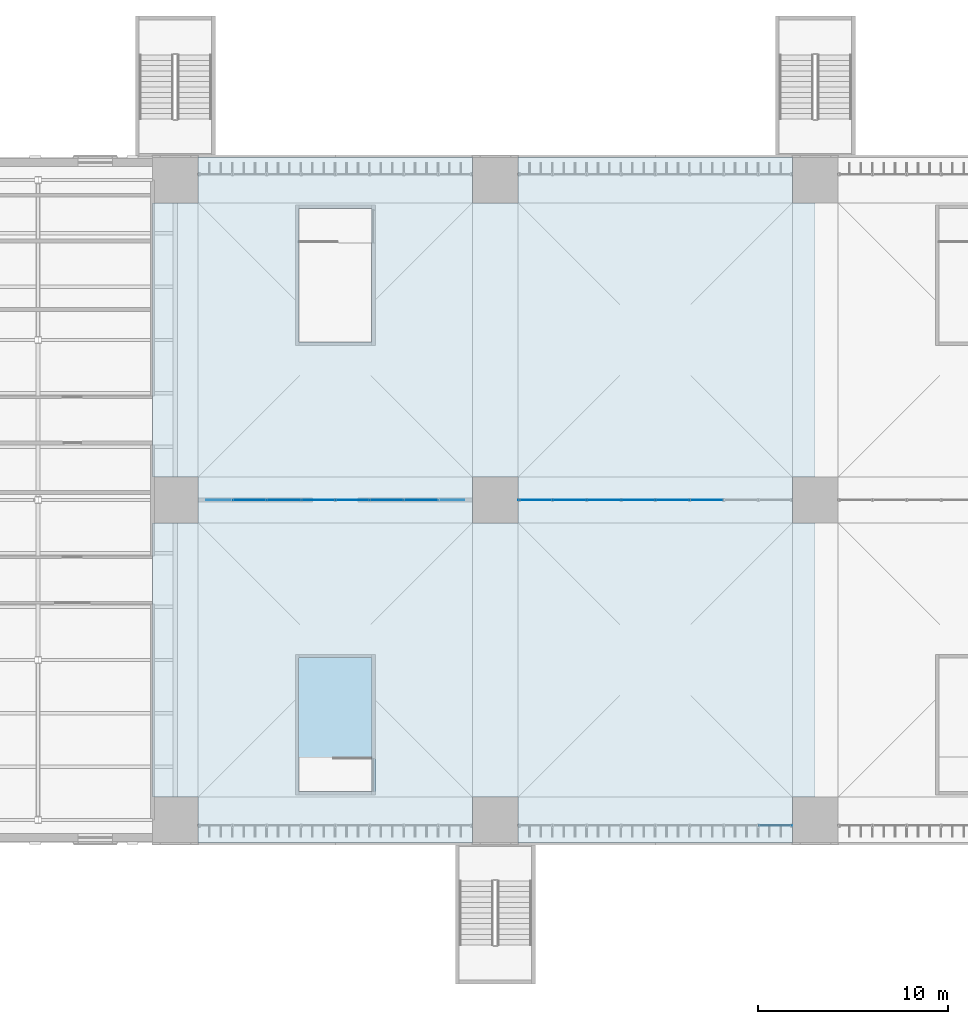
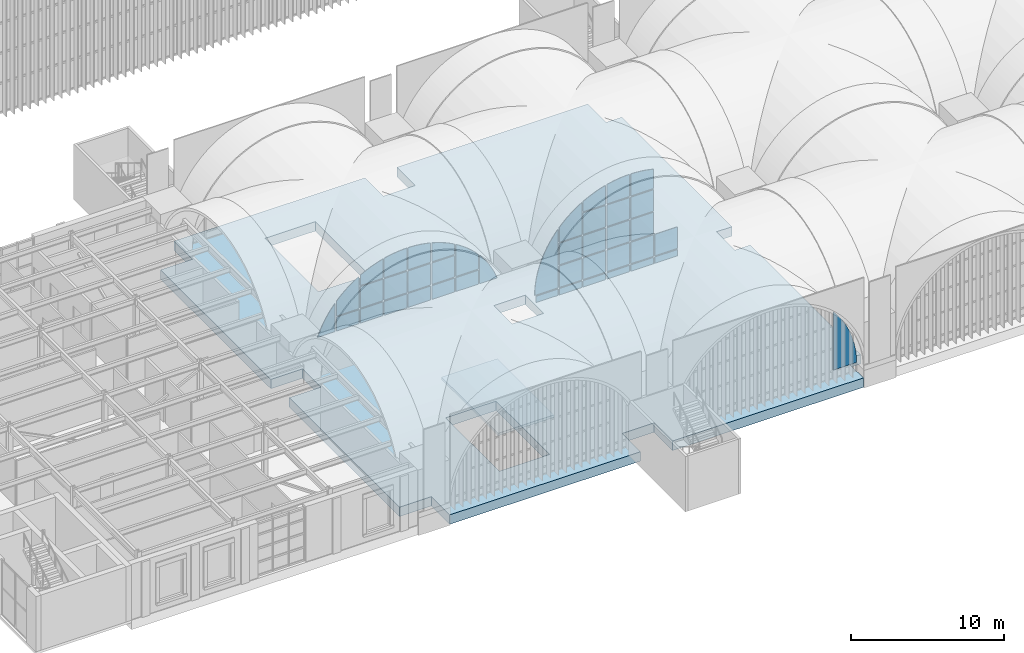
# One storey, part 77 of 169: 42 plates, 2 slabs, 3 elements without a shape of their own.
"""IFC4 building model written with IfcOpenShell, lengths in metres."""

from ifc_helpers import new_model, si_unit, direction, frame, origin, place, context, subcontext, project, spatial, polyline, outline, extrude, material, layer, layer_set, type_object, element, aggregate, save


model = new_model("IFC4")

# Units and contexts
model_context = context("Model", 3, precision=1e-05, world=origin(), true_north=direction((0.0, 1.0)))
body_context = subcontext(model_context, "Body", "Model", "MODEL_VIEW")
ifc_project = project(units=[si_unit("LENGTHUNIT", "METRE"), si_unit("AREAUNIT", "SQUARE_METRE"), si_unit("VOLUMEUNIT", "CUBIC_METRE"), si_unit("PLANEANGLEUNIT", "RADIAN"), si_unit("MASSUNIT", "GRAM", prefix="KILO")], contexts=[model_context])

# Site, building, storey
site_placement = place(None, origin())
site = spatial("IfcSite", under=ifc_project, at=site_placement, CompositionType="ELEMENT")
building_placement = place(site_placement, origin())
building = spatial("IfcBuilding", under=site, at=building_placement, Name="Verrick Yard Athletic Hall", CompositionType="ELEMENT")
storey_placement = place(building_placement, frame((0.0, 0.0, 4.39990234375)))
storey = spatial("IfcBuildingStorey", under=building, at=storey_placement, Name="L01", CompositionType="ELEMENT", Elevation=4.39990234375)

# Slab
ifc_material_1 = material(Name="Concrete 35 MPa", Category="concrete")
ifc_layer_1 = layer(ifc_material_1, 0.199951171875)
ifc_layer_set_1 = layer_set([ifc_layer_1], Name="Core roof slab 200")
slab_type_1 = type_object("IfcSlabType", Name="Core roof slab 200", PredefinedType="ROOF", material=ifc_layer_set_1)
slab_1_placement = place(storey_placement, frame((0.0, 0.0, 3.0)))
element("IfcSlab", 1, at=slab_1_placement, inside=storey, type_object=slab_type_1, Name="CORE-PS-S1-COVER", PredefinedType="ROOF", context=body_context, shape_type="SweptSolid", body=[
    extrude(outline(polyline([(46.300048828125, 20.5), (50.5, 20.5), (50.5, 27.89990234375), (46.300048828125, 27.89990234375), (46.300048828125, 20.5)])), origin(), (0.0, 0.0, 1.0), 0.2001953125),
])

# Curtain wall, plate
ifc_material_2 = material(Name="Aluminium and glass curtain wall", Category="aluminium")
ifc_layer_2 = layer(ifc_material_2, 0.14990234375)
ifc_layer_set_2 = layer_set([ifc_layer_2], Name="Arcade glazing arch")
curtain_wall_type_1 = type_object("IfcCurtainWallType", Name="Arcade glazing arch", PredefinedType="NOTDEFINED", material=ifc_layer_set_2)
curtain_wall_1_placement = place(storey_placement, origin())
curtain_wall_1 = element("IfcCurtainWall", 2, at=curtain_wall_1_placement, inside=storey, type_object=curtain_wall_type_1, Name="Arcade glazing S2", PredefinedType="NOTDEFINED")
ifc_material_3 = material(Name="Laminated glass 28 mm", Category="glass")
ifc_layer_3 = layer(ifc_material_3, 0.028076171875)
ifc_layer_set_3 = layer_set([ifc_layer_3], Name="Curtain wall glass panel")
plate_type = type_object("IfcPlateType", Name="Curtain wall glass panel", PredefinedType="CURTAIN_PANEL", material=ifc_layer_set_3)
plate_1_placement = place(storey_placement, frame((58.0, 18.89990234375, 0.700927734375), z_axis=(0.0, 0.0, 1.0), x_axis=(1.0, 0.0, 0.0)))
plate_1 = element("IfcPlate", 3, at=plate_1_placement, type_object=plate_type, Name="Arcade glazing S2 panel 32", PredefinedType="CURTAIN_PANEL", context=body_context, shape_type="SweptSolid", body=[
    extrude(outline(polyline([(14.39892578125, 0.0), (14.39306640625, 0.26318359375), (14.37255859375, 0.57666015625), (14.33837890625, 0.888916015625), (14.29052734375, 1.199462890625), (14.229248046875, 1.507568359375), (14.15478515625, 1.812744140625), (14.06689453125, 2.1142578125), (13.9658203125, 2.41162109375), (13.851806640625, 2.70458984375), (13.725341796875, 2.9921875), (13.58642578125, 3.273681640625), (13.435302734375, 3.549072265625), (13.2724609375, 3.81787109375), (13.097900390625, 4.078857421875), (12.912109375, 4.332275390625), (12.715576171875, 4.5771484375), (12.65087890625, 4.651123046875), (12.65087890625, 0.0), (14.39892578125, 0.0)])), frame((0.0, 0.01416015625, 0.0), z_axis=(0.0, -1.0, 0.0), x_axis=(1.0, 0.0, 0.0)), (0.0, 0.0, 1.0), 0.028076171875),
])
aggregate(curtain_wall_1, [plate_1])

# Curtain wall, plates
ifc_layer_4 = layer(ifc_material_2, 0.14990234375)
ifc_layer_set_4 = layer_set([ifc_layer_4], Name="Concourse door screen arch")
curtain_wall_type_2 = type_object("IfcCurtainWallType", Name="Concourse door screen arch", PredefinedType="NOTDEFINED", material=ifc_layer_set_4)
curtain_wall_2_placement = place(storey_placement, origin())
curtain_wall_2 = element("IfcCurtainWall", 4, at=curtain_wall_2_placement, inside=storey, type_object=curtain_wall_type_2, Name="Concourse screen 1", PredefinedType="NOTDEFINED")
plate_2_placement = place(storey_placement, frame((41.199951171875, 36.0, 3.101806640625), z_axis=(0.0, 0.0, 1.0), x_axis=(1.0, 0.0, 0.0)))
plate_2 = element("IfcPlate", 5, at=plate_2_placement, type_object=plate_type, Name="Concourse screen 1 panel 1", PredefinedType="CURTAIN_PANEL", context=body_context, shape_type="SweptSolid", body=[
    extrude(outline(polyline([(1.749267578125, 2.250244140625), (1.6845703125, 2.17626953125), (1.48779296875, 1.931396484375), (1.302001953125, 1.677978515625), (1.127685546875, 1.4169921875), (0.964599609375, 1.148193359375), (0.8134765625, 0.872802734375), (0.674560546875, 0.59130859375), (0.548095703125, 0.3037109375), (0.43408203125, 0.0107421875), (0.430419921875, 0.0), (1.749267578125, 0.0), (1.749267578125, 2.250244140625)])), frame((0.0, 0.01416015625, 0.0), z_axis=(0.0, -1.0, 0.0), x_axis=(1.0, 0.0, 0.0)), (0.0, 0.0, 1.0), 0.028076171875),
])
plate_3_placement = place(storey_placement, frame((41.199951171875, 36.0, 3.101806640625), z_axis=(0.0, 0.0, 1.0), x_axis=(1.0, 0.0, 0.0)))
plate_3 = element("IfcPlate", 6, at=plate_3_placement, type_object=plate_type, Name="Concourse screen 1 panel 2", PredefinedType="CURTAIN_PANEL", context=body_context, shape_type="SweptSolid", body=[
    extrude(outline(polyline([(3.54931640625, 0.0), (3.54931640625, 1.097412109375), (1.850830078125, 1.097412109375), (1.850830078125, 0.0), (3.54931640625, 0.0)])), frame((0.0, 0.01416015625, 0.0), z_axis=(0.0, -1.0, 0.0), x_axis=(1.0, 0.0, 0.0)), (0.0, 0.0, 1.0), 0.028076171875),
])
plate_4_placement = place(storey_placement, frame((41.199951171875, 36.0, 4.30078125), z_axis=(0.0, 0.0, 1.0), x_axis=(1.0, 0.0, 0.0)))
plate_4 = element("IfcPlate", 7, at=plate_4_placement, type_object=plate_type, Name="Concourse screen 1 panel 3", PredefinedType="CURTAIN_PANEL", context=body_context, shape_type="SweptSolid", body=[
    extrude(outline(polyline([(3.54931640625, 2.553955078125), (3.331298828125, 2.421630859375), (3.0703125, 2.247314453125), (2.81689453125, 2.0615234375), (2.572021484375, 1.86474609375), (2.335693359375, 1.65771484375), (2.10888671875, 1.4404296875), (1.8916015625, 1.213623046875), (1.850830078125, 1.1669921875), (1.850830078125, 0.0), (3.54931640625, 0.0), (3.54931640625, 2.553955078125)])), frame((0.0, 0.01416015625, 0.0), z_axis=(0.0, -1.0, 0.0), x_axis=(1.0, 0.0, 0.0)), (0.0, 0.0, 1.0), 0.028076171875),
])
plate_5_placement = place(storey_placement, frame((41.199951171875, 36.0, 3.101806640625), z_axis=(0.0, 0.0, 1.0), x_axis=(1.0, 0.0, 0.0)))
plate_5 = element("IfcPlate", 8, at=plate_5_placement, type_object=plate_type, Name="Concourse screen 1 panel 4", PredefinedType="CURTAIN_PANEL", context=body_context, shape_type="SweptSolid", body=[
    extrude(outline(polyline([(5.34912109375, 0.0), (5.34912109375, 1.097412109375), (3.65087890625, 1.097412109375), (3.65087890625, 0.0), (5.34912109375, 0.0)])), frame((0.0, 0.01416015625, 0.0), z_axis=(0.0, -1.0, 0.0), x_axis=(1.0, 0.0, 0.0)), (0.0, 0.0, 1.0), 0.028076171875),
])
plate_6_placement = place(storey_placement, frame((41.199951171875, 36.0, 4.30078125), z_axis=(0.0, 0.0, 1.0), x_axis=(1.0, 0.0, 0.0)))
plate_6 = element("IfcPlate", 9, at=plate_6_placement, type_object=plate_type, Name="Concourse screen 1 panel 5", PredefinedType="CURTAIN_PANEL", context=body_context, shape_type="SweptSolid", body=[
    extrude(outline(polyline([(5.34912109375, 0.0), (5.34912109375, 1.698486328125), (3.65087890625, 1.698486328125), (3.65087890625, 0.0), (5.34912109375, 0.0)])), frame((0.0, 0.01416015625, 0.0), z_axis=(0.0, -1.0, 0.0), x_axis=(1.0, 0.0, 0.0)), (0.0, 0.0, 1.0), 0.028076171875),
])
plate_7_placement = place(storey_placement, frame((41.199951171875, 36.0, 6.100830078125), z_axis=(0.0, 0.0, 1.0), x_axis=(1.0, 0.0, 0.0)))
plate_7 = element("IfcPlate", 10, at=plate_7_placement, type_object=plate_type, Name="Concourse screen 1 panel 6", PredefinedType="CURTAIN_PANEL", context=body_context, shape_type="SweptSolid", body=[
    extrude(outline(polyline([(5.34912109375, 1.507080078125), (5.33642578125, 1.50390625), (5.034912109375, 1.416015625), (4.737548828125, 1.315185546875), (4.444580078125, 1.201171875), (4.156982421875, 1.07470703125), (3.87548828125, 0.935791015625), (3.65087890625, 0.8125), (3.65087890625, 0.0), (5.34912109375, 0.0), (5.34912109375, 1.507080078125)])), frame((0.0, 0.01416015625, 0.0), z_axis=(0.0, -1.0, 0.0), x_axis=(1.0, 0.0, 0.0)), (0.0, 0.0, 1.0), 0.028076171875),
])
plate_8_placement = place(storey_placement, frame((41.199951171875, 36.0, 3.101806640625), z_axis=(0.0, 0.0, 1.0), x_axis=(1.0, 0.0, 0.0)))
plate_8 = element("IfcPlate", 11, at=plate_8_placement, type_object=plate_type, Name="Concourse screen 1 panel 7", PredefinedType="CURTAIN_PANEL", context=body_context, shape_type="SweptSolid", body=[
    extrude(outline(polyline([(7.149169921875, 0.0), (7.149169921875, 1.097412109375), (5.45068359375, 1.097412109375), (5.45068359375, 0.0), (7.149169921875, 0.0)])), frame((0.0, 0.01416015625, 0.0), z_axis=(0.0, -1.0, 0.0), x_axis=(1.0, 0.0, 0.0)), (0.0, 0.0, 1.0), 0.028076171875),
])
plate_9_placement = place(storey_placement, frame((41.199951171875, 36.0, 4.30078125), z_axis=(0.0, 0.0, 1.0), x_axis=(1.0, 0.0, 0.0)))
plate_9 = element("IfcPlate", 12, at=plate_9_placement, type_object=plate_type, Name="Concourse screen 1 panel 8", PredefinedType="CURTAIN_PANEL", context=body_context, shape_type="SweptSolid", body=[
    extrude(outline(polyline([(7.149169921875, 0.0), (7.149169921875, 1.698486328125), (5.45068359375, 1.698486328125), (5.45068359375, 0.0), (7.149169921875, 0.0)])), frame((0.0, 0.01416015625, 0.0), z_axis=(0.0, -1.0, 0.0), x_axis=(1.0, 0.0, 0.0)), (0.0, 0.0, 1.0), 0.028076171875),
])
plate_10_placement = place(storey_placement, frame((41.199951171875, 36.0, 6.100830078125), z_axis=(0.0, 0.0, 1.0), x_axis=(1.0, 0.0, 0.0)))
plate_10 = element("IfcPlate", 13, at=plate_10_placement, type_object=plate_type, Name="Concourse screen 1 panel 9", PredefinedType="CURTAIN_PANEL", context=body_context, shape_type="SweptSolid", body=[
    extrude(outline(polyline([(7.149169921875, 1.748046875), (6.885986328125, 1.742431640625), (6.572509765625, 1.721923828125), (6.26025390625, 1.687744140625), (5.94970703125, 1.639892578125), (5.6416015625, 1.57861328125), (5.45068359375, 1.531982421875), (5.45068359375, 0.0), (7.149169921875, 0.0), (7.149169921875, 1.748046875)])), frame((0.0, 0.01416015625, 0.0), z_axis=(0.0, -1.0, 0.0), x_axis=(1.0, 0.0, 0.0)), (0.0, 0.0, 1.0), 0.028076171875),
])
plate_11_placement = place(storey_placement, frame((41.199951171875, 36.0, 3.101806640625), z_axis=(0.0, 0.0, 1.0), x_axis=(1.0, 0.0, 0.0)))
plate_11 = element("IfcPlate", 14, at=plate_11_placement, type_object=plate_type, Name="Concourse screen 1 panel 10", PredefinedType="CURTAIN_PANEL", context=body_context, shape_type="SweptSolid", body=[
    extrude(outline(polyline([(8.94921875, 0.0), (8.94921875, 1.097412109375), (7.250732421875, 1.097412109375), (7.250732421875, 0.0), (8.94921875, 0.0)])), frame((0.0, 0.01416015625, 0.0), z_axis=(0.0, -1.0, 0.0), x_axis=(1.0, 0.0, 0.0)), (0.0, 0.0, 1.0), 0.028076171875),
])
plate_12_placement = place(storey_placement, frame((41.199951171875, 36.0, 4.30078125), z_axis=(0.0, 0.0, 1.0), x_axis=(1.0, 0.0, 0.0)))
plate_12 = element("IfcPlate", 15, at=plate_12_placement, type_object=plate_type, Name="Concourse screen 1 panel 11", PredefinedType="CURTAIN_PANEL", context=body_context, shape_type="SweptSolid", body=[
    extrude(outline(polyline([(8.94921875, 0.0), (8.94921875, 1.698486328125), (7.250732421875, 1.698486328125), (7.250732421875, 0.0), (8.94921875, 0.0)])), frame((0.0, 0.01416015625, 0.0), z_axis=(0.0, -1.0, 0.0), x_axis=(1.0, 0.0, 0.0)), (0.0, 0.0, 1.0), 0.028076171875),
])
plate_13_placement = place(storey_placement, frame((41.199951171875, 36.0, 6.100830078125), z_axis=(0.0, 0.0, 1.0), x_axis=(1.0, 0.0, 0.0)))
plate_13 = element("IfcPlate", 16, at=plate_13_placement, type_object=plate_type, Name="Concourse screen 1 panel 12", PredefinedType="CURTAIN_PANEL", context=body_context, shape_type="SweptSolid", body=[
    extrude(outline(polyline([(8.94921875, 1.531982421875), (8.75830078125, 1.57861328125), (8.4501953125, 1.639892578125), (8.139892578125, 1.687744140625), (7.827392578125, 1.721923828125), (7.51416015625, 1.742431640625), (7.250732421875, 1.748046875), (7.250732421875, 0.0), (8.94921875, 0.0), (8.94921875, 1.531982421875)])), frame((0.0, 0.01416015625, 0.0), z_axis=(0.0, -1.0, 0.0), x_axis=(1.0, 0.0, 0.0)), (0.0, 0.0, 1.0), 0.028076171875),
])
plate_14_placement = place(storey_placement, frame((41.199951171875, 36.0, 3.101806640625), z_axis=(0.0, 0.0, 1.0), x_axis=(1.0, 0.0, 0.0)))
plate_14 = element("IfcPlate", 17, at=plate_14_placement, type_object=plate_type, Name="Concourse screen 1 panel 13", PredefinedType="CURTAIN_PANEL", context=body_context, shape_type="SweptSolid", body=[
    extrude(outline(polyline([(10.749267578125, 0.0), (10.749267578125, 1.097412109375), (9.05078125, 1.097412109375), (9.05078125, 0.0), (10.749267578125, 0.0)])), frame((0.0, 0.01416015625, 0.0), z_axis=(0.0, -1.0, 0.0), x_axis=(1.0, 0.0, 0.0)), (0.0, 0.0, 1.0), 0.028076171875),
])
plate_15_placement = place(storey_placement, frame((41.199951171875, 36.0, 4.30078125), z_axis=(0.0, 0.0, 1.0), x_axis=(1.0, 0.0, 0.0)))
plate_15 = element("IfcPlate", 18, at=plate_15_placement, type_object=plate_type, Name="Concourse screen 1 panel 14", PredefinedType="CURTAIN_PANEL", context=body_context, shape_type="SweptSolid", body=[
    extrude(outline(polyline([(10.749267578125, 0.0), (10.749267578125, 1.698486328125), (9.05078125, 1.698486328125), (9.05078125, 0.0), (10.749267578125, 0.0)])), frame((0.0, 0.01416015625, 0.0), z_axis=(0.0, -1.0, 0.0), x_axis=(1.0, 0.0, 0.0)), (0.0, 0.0, 1.0), 0.028076171875),
])
plate_16_placement = place(storey_placement, frame((41.199951171875, 36.0, 6.100830078125), z_axis=(0.0, 0.0, 1.0), x_axis=(1.0, 0.0, 0.0)))
plate_16 = element("IfcPlate", 19, at=plate_16_placement, type_object=plate_type, Name="Concourse screen 1 panel 15", PredefinedType="CURTAIN_PANEL", context=body_context, shape_type="SweptSolid", body=[
    extrude(outline(polyline([(10.749267578125, 0.8125), (10.524658203125, 0.935791015625), (10.242919921875, 1.07470703125), (9.955322265625, 1.201171875), (9.66259765625, 1.315185546875), (9.364990234375, 1.416015625), (9.0634765625, 1.50390625), (9.05078125, 1.507080078125), (9.05078125, 0.0), (10.749267578125, 0.0), (10.749267578125, 0.8125)])), frame((0.0, 0.01416015625, 0.0), z_axis=(0.0, -1.0, 0.0), x_axis=(1.0, 0.0, 0.0)), (0.0, 0.0, 1.0), 0.028076171875),
])
plate_17_placement = place(storey_placement, frame((41.199951171875, 36.0, 3.101806640625), z_axis=(0.0, 0.0, 1.0), x_axis=(1.0, 0.0, 0.0)))
plate_17 = element("IfcPlate", 20, at=plate_17_placement, type_object=plate_type, Name="Concourse screen 1 panel 16", PredefinedType="CURTAIN_PANEL", context=body_context, shape_type="SweptSolid", body=[
    extrude(outline(polyline([(12.54931640625, 0.0), (12.54931640625, 1.097412109375), (10.850830078125, 1.097412109375), (10.850830078125, 0.0), (12.54931640625, 0.0)])), frame((0.0, 0.01416015625, 0.0), z_axis=(0.0, -1.0, 0.0), x_axis=(1.0, 0.0, 0.0)), (0.0, 0.0, 1.0), 0.028076171875),
])
plate_18_placement = place(storey_placement, frame((41.199951171875, 36.0, 4.30078125), z_axis=(0.0, 0.0, 1.0), x_axis=(1.0, 0.0, 0.0)))
plate_18 = element("IfcPlate", 21, at=plate_18_placement, type_object=plate_type, Name="Concourse screen 1 panel 17", PredefinedType="CURTAIN_PANEL", context=body_context, shape_type="SweptSolid", body=[
    extrude(outline(polyline([(12.54931640625, 1.1669921875), (12.50830078125, 1.213623046875), (12.291259765625, 1.4404296875), (12.064208984375, 1.65771484375), (11.828125, 1.86474609375), (11.5830078125, 2.0615234375), (11.329833984375, 2.247314453125), (11.068603515625, 2.421630859375), (10.850830078125, 2.553955078125), (10.850830078125, 0.0), (12.54931640625, 0.0), (12.54931640625, 1.1669921875)])), frame((0.0, 0.01416015625, 0.0), z_axis=(0.0, -1.0, 0.0), x_axis=(1.0, 0.0, 0.0)), (0.0, 0.0, 1.0), 0.028076171875),
])
plate_19_placement = place(storey_placement, frame((41.199951171875, 36.0, 3.101806640625), z_axis=(0.0, 0.0, 1.0), x_axis=(1.0, 0.0, 0.0)))
plate_19 = element("IfcPlate", 22, at=plate_19_placement, type_object=plate_type, Name="Concourse screen 1 panel 18", PredefinedType="CURTAIN_PANEL", context=body_context, shape_type="SweptSolid", body=[
    extrude(outline(polyline([(13.969482421875, 0.0), (13.9658203125, 0.0107421875), (13.851806640625, 0.3037109375), (13.725341796875, 0.59130859375), (13.58642578125, 0.872802734375), (13.435302734375, 1.148193359375), (13.2724609375, 1.4169921875), (13.097900390625, 1.677978515625), (12.912109375, 1.931396484375), (12.715576171875, 2.17626953125), (12.65087890625, 2.250244140625), (12.65087890625, 0.0), (13.969482421875, 0.0)])), frame((0.0, 0.01416015625, 0.0), z_axis=(0.0, -1.0, 0.0), x_axis=(1.0, 0.0, 0.0)), (0.0, 0.0, 1.0), 0.028076171875),
])
aggregate(curtain_wall_2, [plate_2, plate_3, plate_4, plate_5, plate_6, plate_7, plate_8, plate_9, plate_10, plate_11, plate_12, plate_13, plate_14, plate_15, plate_16, plate_17, plate_18, plate_19])

ifc_layer_5 = layer(ifc_material_2, 0.14990234375)
ifc_layer_set_5 = layer_set([ifc_layer_5], Name="Concourse arch screen")
curtain_wall_type_3 = type_object("IfcCurtainWallType", Name="Concourse arch screen", PredefinedType="NOTDEFINED", material=ifc_layer_set_5)
curtain_wall_3_placement = place(storey_placement, origin())
curtain_wall_3 = element("IfcCurtainWall", 23, at=curtain_wall_3_placement, inside=storey, type_object=curtain_wall_type_3, Name="Concourse screen 2", PredefinedType="NOTDEFINED")
plate_20_placement = place(storey_placement, frame((58.0, 36.0, 0.101806640625), z_axis=(0.0, 0.0, 1.0), x_axis=(1.0, 0.0, 0.0)))
plate_20 = element("IfcPlate", 24, at=plate_20_placement, type_object=plate_type, Name="Concourse screen 2 panel 1", PredefinedType="CURTAIN_PANEL", context=body_context, shape_type="SweptSolid", body=[
    extrude(outline(polyline([(1.749267578125, 0.0), (1.749267578125, 0.49755859375), (0.10205078125, 0.49755859375), (0.10205078125, 0.0), (1.749267578125, 0.0)])), frame((0.0, 0.01416015625, 0.0), z_axis=(0.0, -1.0, 0.0), x_axis=(1.0, 0.0, 0.0)), (0.0, 0.0, 1.0), 0.028076171875),
])
plate_21_placement = place(storey_placement, frame((58.0, 36.0, 0.700927734375), z_axis=(0.0, 0.0, 1.0), x_axis=(1.0, 0.0, 0.0)))
plate_21 = element("IfcPlate", 25, at=plate_21_placement, type_object=plate_type, Name="Concourse screen 2 panel 2", PredefinedType="CURTAIN_PANEL", context=body_context, shape_type="SweptSolid", body=[
    extrude(outline(polyline([(1.749267578125, 4.651123046875), (1.6845703125, 4.5771484375), (1.48779296875, 4.332275390625), (1.302001953125, 4.078857421875), (1.127685546875, 3.81787109375), (0.964599609375, 3.549072265625), (0.8134765625, 3.273681640625), (0.674560546875, 2.9921875), (0.548095703125, 2.70458984375), (0.43408203125, 2.41162109375), (0.333251953125, 2.1142578125), (0.245361328125, 1.812744140625), (0.170654296875, 1.507568359375), (0.109375, 1.199462890625), (0.0615234375, 0.888916015625), (0.02734375, 0.57666015625), (0.0068359375, 0.26318359375), (0.001220703125, 0.0), (1.749267578125, 0.0), (1.749267578125, 4.651123046875)])), frame((0.0, 0.01416015625, 0.0), z_axis=(0.0, -1.0, 0.0), x_axis=(1.0, 0.0, 0.0)), (0.0, 0.0, 1.0), 0.028076171875),
])
plate_22_placement = place(storey_placement, frame((58.0, 36.0, 0.101806640625), z_axis=(0.0, 0.0, 1.0), x_axis=(1.0, 0.0, 0.0)))
plate_22 = element("IfcPlate", 26, at=plate_22_placement, type_object=plate_type, Name="Concourse screen 2 panel 3", PredefinedType="CURTAIN_PANEL", context=body_context, shape_type="SweptSolid", body=[
    extrude(outline(polyline([(3.54931640625, 0.0), (3.54931640625, 0.49755859375), (1.850830078125, 0.49755859375), (1.850830078125, 0.0), (3.54931640625, 0.0)])), frame((0.0, 0.01416015625, 0.0), z_axis=(0.0, -1.0, 0.0), x_axis=(1.0, 0.0, 0.0)), (0.0, 0.0, 1.0), 0.028076171875),
])
plate_23_placement = place(storey_placement, frame((58.0, 36.0, 0.700927734375), z_axis=(0.0, 0.0, 1.0), x_axis=(1.0, 0.0, 0.0)))
plate_23 = element("IfcPlate", 27, at=plate_23_placement, type_object=plate_type, Name="Concourse screen 2 panel 4", PredefinedType="CURTAIN_PANEL", context=body_context, shape_type="SweptSolid", body=[
    extrude(outline(polyline([(3.54931640625, 0.0), (3.54931640625, 1.698486328125), (1.850830078125, 1.698486328125), (1.850830078125, 0.0), (3.54931640625, 0.0)])), frame((0.0, 0.01416015625, 0.0), z_axis=(0.0, -1.0, 0.0), x_axis=(1.0, 0.0, 0.0)), (0.0, 0.0, 1.0), 0.028076171875),
])
plate_24_placement = place(storey_placement, frame((58.0, 36.0, 2.5009765625), z_axis=(0.0, 0.0, 1.0), x_axis=(1.0, 0.0, 0.0)))
plate_24 = element("IfcPlate", 28, at=plate_24_placement, type_object=plate_type, Name="Concourse screen 2 panel 5", PredefinedType="CURTAIN_PANEL", context=body_context, shape_type="SweptSolid", body=[
    extrude(outline(polyline([(3.54931640625, 0.0), (3.54931640625, 1.6982421875), (1.850830078125, 1.6982421875), (1.850830078125, 0.0), (3.54931640625, 0.0)])), frame((0.0, 0.01416015625, 0.0), z_axis=(0.0, -1.0, 0.0), x_axis=(1.0, 0.0, 0.0)), (0.0, 0.0, 1.0), 0.028076171875),
])
plate_25_placement = place(storey_placement, frame((58.0, 36.0, 4.30078125), z_axis=(0.0, 0.0, 1.0), x_axis=(1.0, 0.0, 0.0)))
plate_25 = element("IfcPlate", 29, at=plate_25_placement, type_object=plate_type, Name="Concourse screen 2 panel 6", PredefinedType="CURTAIN_PANEL", context=body_context, shape_type="SweptSolid", body=[
    extrude(outline(polyline([(3.54931640625, 2.553955078125), (3.331298828125, 2.421630859375), (3.0703125, 2.247314453125), (2.81689453125, 2.0615234375), (2.572021484375, 1.86474609375), (2.335693359375, 1.65771484375), (2.10888671875, 1.4404296875), (1.8916015625, 1.213623046875), (1.850830078125, 1.1669921875), (1.850830078125, 0.0), (3.54931640625, 0.0), (3.54931640625, 2.553955078125)])), frame((0.0, 0.01416015625, 0.0), z_axis=(0.0, -1.0, 0.0), x_axis=(1.0, 0.0, 0.0)), (0.0, 0.0, 1.0), 0.028076171875),
])
plate_26_placement = place(storey_placement, frame((58.0, 36.0, 0.101806640625), z_axis=(0.0, 0.0, 1.0), x_axis=(1.0, 0.0, 0.0)))
plate_26 = element("IfcPlate", 30, at=plate_26_placement, type_object=plate_type, Name="Concourse screen 2 panel 7", PredefinedType="CURTAIN_PANEL", context=body_context, shape_type="SweptSolid", body=[
    extrude(outline(polyline([(5.34912109375, 0.0), (5.34912109375, 0.49755859375), (3.65087890625, 0.49755859375), (3.65087890625, 0.0), (5.34912109375, 0.0)])), frame((0.0, 0.01416015625, 0.0), z_axis=(0.0, -1.0, 0.0), x_axis=(1.0, 0.0, 0.0)), (0.0, 0.0, 1.0), 0.028076171875),
])
plate_27_placement = place(storey_placement, frame((58.0, 36.0, 0.700927734375), z_axis=(0.0, 0.0, 1.0), x_axis=(1.0, 0.0, 0.0)))
plate_27 = element("IfcPlate", 31, at=plate_27_placement, type_object=plate_type, Name="Concourse screen 2 panel 8", PredefinedType="CURTAIN_PANEL", context=body_context, shape_type="SweptSolid", body=[
    extrude(outline(polyline([(5.34912109375, 0.0), (5.34912109375, 1.698486328125), (3.65087890625, 1.698486328125), (3.65087890625, 0.0), (5.34912109375, 0.0)])), frame((0.0, 0.01416015625, 0.0), z_axis=(0.0, -1.0, 0.0), x_axis=(1.0, 0.0, 0.0)), (0.0, 0.0, 1.0), 0.028076171875),
])
plate_28_placement = place(storey_placement, frame((58.0, 36.0, 2.5009765625), z_axis=(0.0, 0.0, 1.0), x_axis=(1.0, 0.0, 0.0)))
plate_28 = element("IfcPlate", 32, at=plate_28_placement, type_object=plate_type, Name="Concourse screen 2 panel 9", PredefinedType="CURTAIN_PANEL", context=body_context, shape_type="SweptSolid", body=[
    extrude(outline(polyline([(5.34912109375, 0.0), (5.34912109375, 1.6982421875), (3.65087890625, 1.6982421875), (3.65087890625, 0.0), (5.34912109375, 0.0)])), frame((0.0, 0.01416015625, 0.0), z_axis=(0.0, -1.0, 0.0), x_axis=(1.0, 0.0, 0.0)), (0.0, 0.0, 1.0), 0.028076171875),
])
plate_29_placement = place(storey_placement, frame((58.0, 36.0, 4.30078125), z_axis=(0.0, 0.0, 1.0), x_axis=(1.0, 0.0, 0.0)))
plate_29 = element("IfcPlate", 33, at=plate_29_placement, type_object=plate_type, Name="Concourse screen 2 panel 10", PredefinedType="CURTAIN_PANEL", context=body_context, shape_type="SweptSolid", body=[
    extrude(outline(polyline([(5.34912109375, 0.0), (5.34912109375, 1.698486328125), (3.65087890625, 1.698486328125), (3.65087890625, 0.0), (5.34912109375, 0.0)])), frame((0.0, 0.01416015625, 0.0), z_axis=(0.0, -1.0, 0.0), x_axis=(1.0, 0.0, 0.0)), (0.0, 0.0, 1.0), 0.028076171875),
])
plate_30_placement = place(storey_placement, frame((58.0, 36.0, 6.100830078125), z_axis=(0.0, 0.0, 1.0), x_axis=(1.0, 0.0, 0.0)))
plate_30 = element("IfcPlate", 34, at=plate_30_placement, type_object=plate_type, Name="Concourse screen 2 panel 11", PredefinedType="CURTAIN_PANEL", context=body_context, shape_type="SweptSolid", body=[
    extrude(outline(polyline([(5.34912109375, 1.507080078125), (5.33642578125, 1.50390625), (5.034912109375, 1.416015625), (4.737548828125, 1.315185546875), (4.444580078125, 1.201171875), (4.156982421875, 1.07470703125), (3.87548828125, 0.935791015625), (3.65087890625, 0.8125), (3.65087890625, 0.0), (5.34912109375, 0.0), (5.34912109375, 1.507080078125)])), frame((0.0, 0.01416015625, 0.0), z_axis=(0.0, -1.0, 0.0), x_axis=(1.0, 0.0, 0.0)), (0.0, 0.0, 1.0), 0.028076171875),
])
plate_31_placement = place(storey_placement, frame((58.0, 36.0, 0.101806640625), z_axis=(0.0, 0.0, 1.0), x_axis=(1.0, 0.0, 0.0)))
plate_31 = element("IfcPlate", 35, at=plate_31_placement, type_object=plate_type, Name="Concourse screen 2 panel 12", PredefinedType="CURTAIN_PANEL", context=body_context, shape_type="SweptSolid", body=[
    extrude(outline(polyline([(7.149169921875, 0.0), (7.149169921875, 0.49755859375), (5.45068359375, 0.49755859375), (5.45068359375, 0.0), (7.149169921875, 0.0)])), frame((0.0, 0.01416015625, 0.0), z_axis=(0.0, -1.0, 0.0), x_axis=(1.0, 0.0, 0.0)), (0.0, 0.0, 1.0), 0.028076171875),
])
plate_32_placement = place(storey_placement, frame((58.0, 36.0, 0.700927734375), z_axis=(0.0, 0.0, 1.0), x_axis=(1.0, 0.0, 0.0)))
plate_32 = element("IfcPlate", 36, at=plate_32_placement, type_object=plate_type, Name="Concourse screen 2 panel 13", PredefinedType="CURTAIN_PANEL", context=body_context, shape_type="SweptSolid", body=[
    extrude(outline(polyline([(7.149169921875, 0.0), (7.149169921875, 1.698486328125), (5.45068359375, 1.698486328125), (5.45068359375, 0.0), (7.149169921875, 0.0)])), frame((0.0, 0.01416015625, 0.0), z_axis=(0.0, -1.0, 0.0), x_axis=(1.0, 0.0, 0.0)), (0.0, 0.0, 1.0), 0.028076171875),
])
plate_33_placement = place(storey_placement, frame((58.0, 36.0, 2.5009765625), z_axis=(0.0, 0.0, 1.0), x_axis=(1.0, 0.0, 0.0)))
plate_33 = element("IfcPlate", 37, at=plate_33_placement, type_object=plate_type, Name="Concourse screen 2 panel 14", PredefinedType="CURTAIN_PANEL", context=body_context, shape_type="SweptSolid", body=[
    extrude(outline(polyline([(7.149169921875, 0.0), (7.149169921875, 1.6982421875), (5.45068359375, 1.6982421875), (5.45068359375, 0.0), (7.149169921875, 0.0)])), frame((0.0, 0.01416015625, 0.0), z_axis=(0.0, -1.0, 0.0), x_axis=(1.0, 0.0, 0.0)), (0.0, 0.0, 1.0), 0.028076171875),
])
plate_34_placement = place(storey_placement, frame((58.0, 36.0, 4.30078125), z_axis=(0.0, 0.0, 1.0), x_axis=(1.0, 0.0, 0.0)))
plate_34 = element("IfcPlate", 38, at=plate_34_placement, type_object=plate_type, Name="Concourse screen 2 panel 15", PredefinedType="CURTAIN_PANEL", context=body_context, shape_type="SweptSolid", body=[
    extrude(outline(polyline([(7.149169921875, 0.0), (7.149169921875, 1.698486328125), (5.45068359375, 1.698486328125), (5.45068359375, 0.0), (7.149169921875, 0.0)])), frame((0.0, 0.01416015625, 0.0), z_axis=(0.0, -1.0, 0.0), x_axis=(1.0, 0.0, 0.0)), (0.0, 0.0, 1.0), 0.028076171875),
])
plate_35_placement = place(storey_placement, frame((58.0, 36.0, 6.100830078125), z_axis=(0.0, 0.0, 1.0), x_axis=(1.0, 0.0, 0.0)))
plate_35 = element("IfcPlate", 39, at=plate_35_placement, type_object=plate_type, Name="Concourse screen 2 panel 16", PredefinedType="CURTAIN_PANEL", context=body_context, shape_type="SweptSolid", body=[
    extrude(outline(polyline([(7.149169921875, 1.748046875), (6.885986328125, 1.742431640625), (6.572509765625, 1.721923828125), (6.26025390625, 1.687744140625), (5.94970703125, 1.639892578125), (5.6416015625, 1.57861328125), (5.45068359375, 1.531982421875), (5.45068359375, 0.0), (7.149169921875, 0.0), (7.149169921875, 1.748046875)])), frame((0.0, 0.01416015625, 0.0), z_axis=(0.0, -1.0, 0.0), x_axis=(1.0, 0.0, 0.0)), (0.0, 0.0, 1.0), 0.028076171875),
])
plate_36_placement = place(storey_placement, frame((58.0, 36.0, 0.101806640625), z_axis=(0.0, 0.0, 1.0), x_axis=(1.0, 0.0, 0.0)))
plate_36 = element("IfcPlate", 40, at=plate_36_placement, type_object=plate_type, Name="Concourse screen 2 panel 17", PredefinedType="CURTAIN_PANEL", context=body_context, shape_type="SweptSolid", body=[
    extrude(outline(polyline([(8.94921875, 0.0), (8.94921875, 0.49755859375), (7.250732421875, 0.49755859375), (7.250732421875, 0.0), (8.94921875, 0.0)])), frame((0.0, 0.01416015625, 0.0), z_axis=(0.0, -1.0, 0.0), x_axis=(1.0, 0.0, 0.0)), (0.0, 0.0, 1.0), 0.028076171875),
])
plate_37_placement = place(storey_placement, frame((58.0, 36.0, 0.700927734375), z_axis=(0.0, 0.0, 1.0), x_axis=(1.0, 0.0, 0.0)))
plate_37 = element("IfcPlate", 41, at=plate_37_placement, type_object=plate_type, Name="Concourse screen 2 panel 18", PredefinedType="CURTAIN_PANEL", context=body_context, shape_type="SweptSolid", body=[
    extrude(outline(polyline([(8.94921875, 0.0), (8.94921875, 1.698486328125), (7.250732421875, 1.698486328125), (7.250732421875, 0.0), (8.94921875, 0.0)])), frame((0.0, 0.01416015625, 0.0), z_axis=(0.0, -1.0, 0.0), x_axis=(1.0, 0.0, 0.0)), (0.0, 0.0, 1.0), 0.028076171875),
])
plate_38_placement = place(storey_placement, frame((58.0, 36.0, 2.5009765625), z_axis=(0.0, 0.0, 1.0), x_axis=(1.0, 0.0, 0.0)))
plate_38 = element("IfcPlate", 42, at=plate_38_placement, type_object=plate_type, Name="Concourse screen 2 panel 19", PredefinedType="CURTAIN_PANEL", context=body_context, shape_type="SweptSolid", body=[
    extrude(outline(polyline([(8.94921875, 0.0), (8.94921875, 1.6982421875), (7.250732421875, 1.6982421875), (7.250732421875, 0.0), (8.94921875, 0.0)])), frame((0.0, 0.01416015625, 0.0), z_axis=(0.0, -1.0, 0.0), x_axis=(1.0, 0.0, 0.0)), (0.0, 0.0, 1.0), 0.028076171875),
])
plate_39_placement = place(storey_placement, frame((58.0, 36.0, 4.30078125), z_axis=(0.0, 0.0, 1.0), x_axis=(1.0, 0.0, 0.0)))
plate_39 = element("IfcPlate", 43, at=plate_39_placement, type_object=plate_type, Name="Concourse screen 2 panel 20", PredefinedType="CURTAIN_PANEL", context=body_context, shape_type="SweptSolid", body=[
    extrude(outline(polyline([(8.94921875, 0.0), (8.94921875, 1.698486328125), (7.250732421875, 1.698486328125), (7.250732421875, 0.0), (8.94921875, 0.0)])), frame((0.0, 0.01416015625, 0.0), z_axis=(0.0, -1.0, 0.0), x_axis=(1.0, 0.0, 0.0)), (0.0, 0.0, 1.0), 0.028076171875),
])
plate_40_placement = place(storey_placement, frame((58.0, 36.0, 6.100830078125), z_axis=(0.0, 0.0, 1.0), x_axis=(1.0, 0.0, 0.0)))
plate_40 = element("IfcPlate", 44, at=plate_40_placement, type_object=plate_type, Name="Concourse screen 2 panel 21", PredefinedType="CURTAIN_PANEL", context=body_context, shape_type="SweptSolid", body=[
    extrude(outline(polyline([(8.94921875, 1.531982421875), (8.75830078125, 1.57861328125), (8.4501953125, 1.639892578125), (8.139892578125, 1.687744140625), (7.827392578125, 1.721923828125), (7.51416015625, 1.742431640625), (7.250732421875, 1.748046875), (7.250732421875, 0.0), (8.94921875, 0.0), (8.94921875, 1.531982421875)])), frame((0.0, 0.01416015625, 0.0), z_axis=(0.0, -1.0, 0.0), x_axis=(1.0, 0.0, 0.0)), (0.0, 0.0, 1.0), 0.028076171875),
])
plate_41_placement = place(storey_placement, frame((58.0, 36.0, 0.101806640625), z_axis=(0.0, 0.0, 1.0), x_axis=(1.0, 0.0, 0.0)))
plate_41 = element("IfcPlate", 45, at=plate_41_placement, type_object=plate_type, Name="Concourse screen 2 panel 22", PredefinedType="CURTAIN_PANEL", context=body_context, shape_type="SweptSolid", body=[
    extrude(outline(polyline([(10.749267578125, 0.0), (10.749267578125, 0.49755859375), (9.05078125, 0.49755859375), (9.05078125, 0.0), (10.749267578125, 0.0)])), frame((0.0, 0.01416015625, 0.0), z_axis=(0.0, -1.0, 0.0), x_axis=(1.0, 0.0, 0.0)), (0.0, 0.0, 1.0), 0.028076171875),
])
plate_42_placement = place(storey_placement, frame((58.0, 36.0, 0.700927734375), z_axis=(0.0, 0.0, 1.0), x_axis=(1.0, 0.0, 0.0)))
plate_42 = element("IfcPlate", 46, at=plate_42_placement, type_object=plate_type, Name="Concourse screen 2 panel 23", PredefinedType="CURTAIN_PANEL", context=body_context, shape_type="SweptSolid", body=[
    extrude(outline(polyline([(10.749267578125, 0.0), (10.749267578125, 1.698486328125), (9.05078125, 1.698486328125), (9.05078125, 0.0), (10.749267578125, 0.0)])), frame((0.0, 0.01416015625, 0.0), z_axis=(0.0, -1.0, 0.0), x_axis=(1.0, 0.0, 0.0)), (0.0, 0.0, 1.0), 0.028076171875),
])
aggregate(curtain_wall_3, [plate_20, plate_21, plate_22, plate_23, plate_24, plate_25, plate_26, plate_27, plate_28, plate_29, plate_30, plate_31, plate_32, plate_33, plate_34, plate_35, plate_36, plate_37, plate_38, plate_39, plate_40, plate_41, plate_42])

# Slab
ifc_layer_6 = layer(ifc_material_1, 0.75)
ifc_layer_set_6 = layer_set([ifc_layer_6], Name="STR Flat slab SL2")
slab_type_2 = type_object("IfcSlabType", Name="STR Flat slab SL2", PredefinedType="FLOOR", material=ifc_layer_set_6)
slab_2_placement = place(storey_placement, frame((0.0, 0.0, -0.75)))
element("IfcSlab", 47, at=slab_2_placement, inside=storey, type_object=slab_type_2, Name="STR-SL-L01-Z1", PredefinedType="FLOOR", context=body_context, shape_type="SweptSolid", body=[
    extrude(outline(polyline([(72.39990234375, 20.39990234375), (73.574951171875, 20.39990234375), (73.574951171875, 34.800048828125), (72.39990234375, 34.800048828125), (72.39990234375, 37.199951171875), (73.574951171875, 37.199951171875), (73.574951171875, 51.60009765625), (72.39990234375, 51.60009765625), (72.39990234375, 54.0), (58.0, 54.0), (58.0, 51.60009765625), (55.60009765625, 51.60009765625), (55.60009765625, 54.0), (41.199951171875, 54.0), (41.199951171875, 51.60009765625), (38.800048828125, 51.60009765625), (38.800048828125, 37.199951171875), (41.199951171875, 37.199951171875), (41.199951171875, 34.800048828125), (38.800048828125, 34.800048828125), (38.800048828125, 20.39990234375), (41.199951171875, 20.39990234375), (41.199951171875, 18.0), (55.60009765625, 18.0), (55.60009765625, 20.39990234375), (58.0, 20.39990234375), (58.0, 18.0), (72.39990234375, 18.0), (72.39990234375, 20.39990234375)]), holes=[polyline([(58.0, 37.199951171875), (58.0, 34.800048828125), (55.60009765625, 34.800048828125), (55.60009765625, 37.199951171875), (58.0, 37.199951171875)]), polyline([(46.5, 20.699951171875), (46.5, 27.699951171875), (50.300048828125, 27.699951171875), (50.300048828125, 20.699951171875), (46.5, 20.699951171875)]), polyline([(46.5, 44.300048828125), (46.5, 51.300048828125), (50.300048828125, 51.300048828125), (50.300048828125, 44.300048828125), (46.5, 44.300048828125)])]), origin(), (0.0, 0.0, 1.0), 0.75),
])

save(model, "model.ifc")
